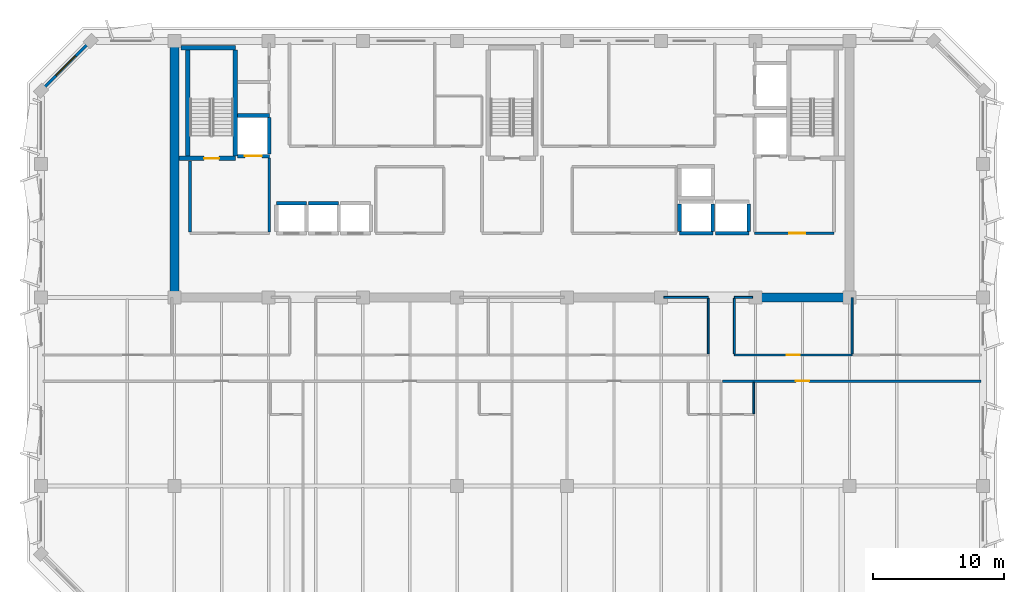
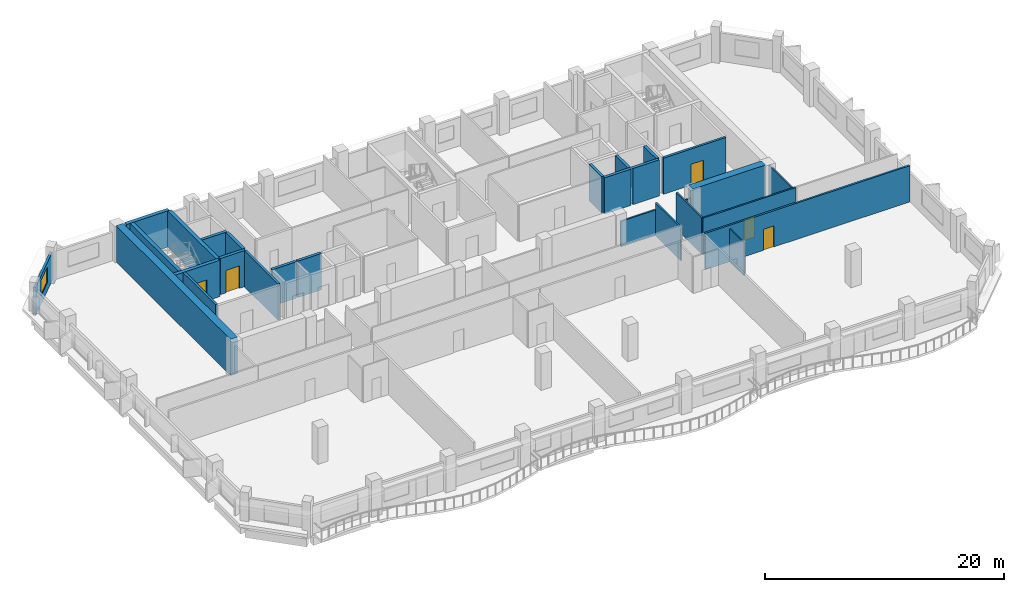
# One storey, part 5 of 11: 28 walls, 5 doors, 1 window, 6 openings.
"""IFC4 building model written with IfcOpenShell, lengths in metres."""

from ifc_helpers import new_model, si_unit, direction, frame, frame_2d, origin, place, context, subcontext, project, spatial, rectangle, extrude, material, layer, layer_set, type_object, element, fill, save


model = new_model("IFC4")

# Units and contexts
model_context = context("Model", 3, precision=1e-05, world=origin(), true_north=direction((0.0, 1.0)))
body_context = subcontext(model_context, "Body", "Model", "MODEL_VIEW")
ifc_project = project(units=[si_unit("LENGTHUNIT", "METRE"), si_unit("AREAUNIT", "SQUARE_METRE"), si_unit("VOLUMEUNIT", "CUBIC_METRE"), si_unit("PLANEANGLEUNIT", "RADIAN"), si_unit("MASSUNIT", "GRAM", prefix="KILO")], contexts=[model_context])

# Site, building, storey
site_placement = place(None, origin())
site = spatial("IfcSite", under=ifc_project, at=site_placement, CompositionType="ELEMENT")
building_placement = place(site_placement, origin())
building = spatial("IfcBuilding", under=site, at=building_placement, Name="Kaelvorn Grand Hotel", CompositionType="ELEMENT")
storey_placement = place(building_placement, frame((0.0, 0.0, 272.60009765625)))
storey = spatial("IfcBuildingStorey", under=building, at=storey_placement, Name="L67", CompositionType="ELEMENT", Elevation=272.60009765625)

# Walls
ifc_material_1 = material(Name="Concrete C50/60", Category="concrete")
ifc_layer_1 = layer(ifc_material_1, 0.699951171875)
ifc_layer_set_1 = layer_set([ifc_layer_1], Name="Concrete C50/60")
wall_type_1 = type_object("IfcWallType", Name="WL-CORE-700-C50", PredefinedType="SHEAR", material=ifc_layer_set_1)
wall_1_placement = place(storey_placement, frame((16.199951171875, 29.39990234375, 0.0), z_axis=(0.0, 0.0, 1.0), x_axis=(0.0, 1.0, 0.0)))
element("IfcWall", 1, at=wall_1_placement, inside=storey, type_object=wall_type_1, Name="L67 Rear-Core West Shear Wall", PredefinedType="SHEAR", context=body_context, shape_type="SweptSolid", body=[
    extrude(rectangle(XDim=19.2001953125, YDim=0.699951171875, at=frame_2d((9.60009765625, 0.0))), origin(), (0.0, 0.0, 1.0), 3.7099609375),
])
wall_2_placement = place(storey_placement, frame((60.39990234375, 29.39990234375, 0.0), z_axis=(0.0, 0.0, 1.0), x_axis=(1.0, 0.0, 0.0)))
element("IfcWall", 2, at=wall_2_placement, inside=storey, type_object=wall_type_1, Name="L67 Rear-Core Coupled Shear Pier S4", PredefinedType="SHEAR", context=body_context, shape_type="SweptSolid", body=[
    extrude(rectangle(XDim=7.045166015625, YDim=0.699951171875, at=frame_2d((3.5224609375, 0.0))), origin(), (0.0, 0.0, 1.0), 3.7099609375),
])

# Wall, opening, window
ifc_material_2 = material(Name="Concrete C40/50", Category="concrete")
ifc_layer_2 = layer(ifc_material_2, 0.219970703125)
ifc_layer_set_2 = layer_set([ifc_layer_2], Name="Concrete C40/50")
wall_type_2 = type_object("IfcWallType", Name="WL-EXT-220-C40", PredefinedType="SOLIDWALL", material=ifc_layer_set_2)
wall_3_placement = place(storey_placement, frame((9.800048828125, 49.0, 0.0), z_axis=(0.0, 0.0, 1.0), x_axis=(-0.707106781187, -0.707106781187, 0.0)))
wall_3 = element("IfcWall", 3, at=wall_3_placement, inside=storey, type_object=wall_type_2, Name="L67 Exterior Architectural Concrete Wall 06", PredefinedType="SOLIDWALL", context=body_context, shape_type="SweptSolid", body=[
    extrude(rectangle(XDim=5.3740234375, YDim=0.219970703125, at=frame_2d((2.68701171875, 0.0))), origin(), (0.0, 0.0, 1.0), 2.909912109375),
])
opening_1_placement = place(wall_3_placement, frame((1.636962890625, 0.0, 0.85009765625)))
opening_1 = element("IfcOpeningElement", 4, at=opening_1_placement, cuts=wall_3, Name="Opening W7", PredefinedType="OPENING", context=body_context, shape_type="SweptSolid", body=[
    extrude(rectangle(XDim=2.10009765625, YDim=1.60009765625, at=frame_2d((1.050048828125, 0.800048828125))), frame((0.0, 0.1201171875, 0.0), z_axis=(0.0, -1.0, 0.0), x_axis=(1.0, 0.0, 0.0)), (0.0, 0.0, 1.0), 0.239990234375),
])
ifc_material_3 = material(Name="Laminated Low-E Glass", Category="glass")
window_type = type_object("IfcWindowType", Name="WIN-CHM-2100x1600", PartitioningType="SINGLE_PANEL", PredefinedType="WINDOW", material=ifc_material_3)
window_placement = place(opening_1_placement, origin())
window = element("IfcWindow", 5, at=window_placement, inside=storey, type_object=window_type, Name="L67 Chamfered 45-Degree Corner Window NW", OverallHeight=1.60009765625, OverallWidth=2.10009765625, PartitioningType="SINGLE_PANEL", PredefinedType="WINDOW", context=body_context, shape_type="SweptSolid", body=[
    extrude(rectangle(XDim=2.10009765625, YDim=1.60009765625, at=frame_2d((1.050048828125, 0.800048828125))), frame((0.0, 0.030029296875, 0.0), z_axis=(0.0, -1.0, 0.0), x_axis=(1.0, 0.0, 0.0)), (0.0, 0.0, 1.0), 0.06005859375),
])
fill(opening_1, window)

# Walls
ifc_material_4 = material(Name="Moisture-Resistant Tile & Stud Board")
ifc_layer_3 = layer(ifc_material_4, 0.125)
ifc_layer_set_3 = layer_set([ifc_layer_3], Name="Moisture-Resistant Tile & Stud Board")
wall_type_3 = type_object("IfcWallType", Name="WL-PART-125-WET", PredefinedType="PARTITIONING", material=ifc_layer_set_3)
wall_4_placement = place(storey_placement, frame((60.47509765625, 20.517578125, 0.0), z_axis=(0.0, 0.0, 1.0), x_axis=(0.0, 1.0, 0.0)))
element("IfcWall", 6, at=wall_4_placement, inside=storey, type_object=wall_type_3, Name="L67 En-suite Bathroom L67-04 E Partition", PredefinedType="PARTITIONING", context=body_context, shape_type="SweptSolid", body=[
    extrude(rectangle(XDim=2.387451171875, YDim=0.125, at=frame_2d((1.19384765625, 0.0))), origin(), (0.0, 0.0, 1.0), 3.349853515625),
])
ifc_material_5 = material(Name="Acoustic Gypsum & Stud Partition")
ifc_layer_4 = layer(ifc_material_5, 0.14990234375)
ifc_layer_set_4 = layer_set([ifc_layer_4], Name="Acoustic Gypsum & Stud Partition")
wall_type_4 = type_object("IfcWallType", Name="WL-PART-150-EI60", PredefinedType="PARTITIONING", material=ifc_layer_set_4)
wall_5_placement = place(storey_placement, frame((53.610107421875, 29.39990234375, 0.0), z_axis=(0.0, 0.0, 1.0), x_axis=(1.0, 0.0, 0.0)))
element("IfcWall", 7, at=wall_5_placement, inside=storey, type_object=wall_type_4, Name="L67 Diplomatic Living Room N Partition (2)", PredefinedType="PARTITIONING", context=body_context, shape_type="SweptSolid", body=[
    extrude(rectangle(XDim=3.389892578125, YDim=0.14990234375, at=frame_2d((1.69482421875, 0.0))), origin(), (0.0, 0.0, 1.0), 2.60986328125),
])
wall_6_placement = place(storey_placement, frame((57.0, 25.080078125, 0.0), z_axis=(0.0, 0.0, 1.0), x_axis=(0.0, 1.0, 0.0)))
element("IfcWall", 8, at=wall_6_placement, inside=storey, type_object=wall_type_4, Name="L67 Diplomatic Living Room E Partition", PredefinedType="PARTITIONING", context=body_context, shape_type="SweptSolid", body=[
    extrude(rectangle(XDim=4.239990234375, YDim=0.14990234375, at=frame_2d((2.1201171875, 0.0))), origin(), (0.0, 0.0, 1.0), 3.349853515625),
])

# Wall, opening, door
wall_7_placement = place(storey_placement, frame((59.0, 25.0, 0.0), z_axis=(0.0, 0.0, 1.0), x_axis=(1.0, 0.0, 0.0)))
wall_7 = element("IfcWall", 9, at=wall_7_placement, inside=storey, type_object=wall_type_4, Name="L67 Executive Meeting Room S Partition", PredefinedType="PARTITIONING", context=body_context, shape_type="SweptSolid", body=[
    extrude(rectangle(XDim=9.0, YDim=0.14990234375, at=frame_2d((4.5, 0.0))), origin(), (0.0, 0.0, 1.0), 3.7099609375),
])
opening_2_placement = place(wall_7_placement, frame((4.0, 0.0, 0.0)))
opening_2 = element("IfcOpeningElement", 10, at=opening_2_placement, cuts=wall_7, Name="Opening DI3", PredefinedType="OPENING", context=body_context, shape_type="SweptSolid", body=[
    extrude(rectangle(XDim=1.0, YDim=2.14990234375, at=frame_2d((0.5, 1.074951171875))), frame((0.0, 0.0849609375, 0.0), z_axis=(0.0, -1.0, 0.0), x_axis=(1.0, 0.0, 0.0)), (0.0, 0.0, 1.0), 0.169921875),
])
ifc_material_6 = material(Name="Timber Veneer Fire Leaf", Category="wood")
door_type_1 = type_object("IfcDoorType", Name="DR-INT-GUEST-1000x2150", OperationType="NOTDEFINED", PredefinedType="DOOR", material=ifc_material_6)
door_1_placement = place(opening_2_placement, origin())
door_1 = element("IfcDoor", 11, at=door_1_placement, inside=storey, type_object=door_type_1, Name="L67 Executive Meeting Room Door", OperationType="SINGLE_SWING_LEFT", OverallHeight=2.14990234375, OverallWidth=1.0, PredefinedType="DOOR", context=body_context, shape_type="SweptSolid", body=[
    extrude(rectangle(XDim=1.0, YDim=2.14990234375, at=frame_2d((0.5, 1.074951171875))), frame((0.0, 0.02490234375, 0.0), z_axis=(0.0, -1.0, 0.0), x_axis=(1.0, 0.0, 0.0)), (0.0, 0.0, 1.0), 0.050048828125),
])
fill(opening_2, door_1)

# Walls
wall_8_placement = place(storey_placement, frame((59.0, 29.39990234375, 0.0), z_axis=(0.0, 0.0, 1.0), x_axis=(1.0, 0.0, 0.0)))
element("IfcWall", 12, at=wall_8_placement, inside=storey, type_object=wall_type_4, Name="L67 Executive Meeting Room N Partition", PredefinedType="PARTITIONING", context=body_context, shape_type="SweptSolid", body=[
    extrude(rectangle(XDim=1.389892578125, YDim=0.14990234375, at=frame_2d((0.69482421875, 0.0))), origin(), (0.0, 0.0, 1.0), 2.60986328125),
])
wall_9_placement = place(storey_placement, frame((59.0, 25.080078125, 0.0), z_axis=(0.0, 0.0, 1.0), x_axis=(0.0, 1.0, 0.0)))
element("IfcWall", 13, at=wall_9_placement, inside=storey, type_object=wall_type_4, Name="L67 Executive Meeting Room W Partition", PredefinedType="PARTITIONING", context=body_context, shape_type="SweptSolid", body=[
    extrude(rectangle(XDim=4.239990234375, YDim=0.14990234375, at=frame_2d((2.1201171875, 0.0))), origin(), (0.0, 0.0, 1.0), 3.7099609375),
])
wall_10_placement = place(storey_placement, frame((68.0, 25.080078125, 0.0), z_axis=(0.0, 0.0, 1.0), x_axis=(0.0, 1.0, 0.0)))
element("IfcWall", 14, at=wall_10_placement, inside=storey, type_object=wall_type_4, Name="L67 Executive Meeting Room E Partition", PredefinedType="PARTITIONING", context=body_context, shape_type="SweptSolid", body=[
    extrude(rectangle(XDim=4.309814453125, YDim=0.14990234375, at=frame_2d((2.15478515625, 0.0))), origin(), (0.0, 0.0, 1.0), 3.349853515625),
])

# Wall, opening, door
ifc_layer_5 = layer(ifc_material_5, 0.179931640625)
ifc_layer_set_5 = layer_set([ifc_layer_5], Name="Acoustic Gypsum & Stud Partition")
wall_type_5 = type_object("IfcWallType", Name="WL-PART-180-EI60", PredefinedType="PARTITIONING", material=ifc_layer_set_5)
wall_11_placement = place(storey_placement, frame((58.070068359375, 23.0, 0.0), z_axis=(0.0, 0.0, 1.0), x_axis=(1.0, 0.0, 0.0)))
wall_11 = element("IfcWall", 15, at=wall_11_placement, inside=storey, type_object=wall_type_5, Name="L67 Presidential Sky Suite L67-04 N Partition", PredefinedType="PARTITIONING", context=body_context, shape_type="SweptSolid", body=[
    extrude(rectangle(XDim=19.780029296875, YDim=0.179931640625, at=frame_2d((9.89013671875, 0.0))), origin(), (0.0, 0.0, 1.0), 3.7099609375),
])
opening_3_placement = place(wall_11_placement, frame((5.6298828125, 0.0, 0.0)))
opening_3 = element("IfcOpeningElement", 16, at=opening_3_placement, cuts=wall_11, Name="Opening DI3", PredefinedType="OPENING", context=body_context, shape_type="SweptSolid", body=[
    extrude(rectangle(XDim=1.0, YDim=2.14990234375, at=frame_2d((0.5, 1.074951171875))), frame((0.0, 0.10009765625, 0.0), z_axis=(0.0, -1.0, 0.0), x_axis=(1.0, 0.0, 0.0)), (0.0, 0.0, 1.0), 0.199951171875),
])
door_2_placement = place(opening_3_placement, origin())
door_2 = element("IfcDoor", 17, at=door_2_placement, inside=storey, type_object=door_type_1, Name="L67 Presidential Sky Suite L67-04 Door", OperationType="SINGLE_SWING_RIGHT", OverallHeight=2.14990234375, OverallWidth=1.0, PredefinedType="DOOR", context=body_context, shape_type="SweptSolid", body=[
    extrude(rectangle(XDim=1.0, YDim=2.14990234375, at=frame_2d((0.5, 1.074951171875))), frame((0.0, 0.02490234375, 0.0), z_axis=(0.0, -1.0, 0.0), x_axis=(1.0, 0.0, 0.0)), (0.0, 0.0, 1.0), 0.050048828125),
])
fill(opening_3, door_2)

# Walls
ifc_layer_6 = layer(ifc_material_2, 0.219970703125)
ifc_layer_set_6 = layer_set([ifc_layer_6], Name="Concrete C40/50")
wall_type_6 = type_object("IfcWallType", Name="WL-PART-220-EI120", PredefinedType="PARTITIONING", material=ifc_layer_set_6)
wall_12_placement = place(storey_placement, frame((17.39990234375, 34.4150390625, 0.0), z_axis=(0.0, 0.0, 1.0), x_axis=(0.0, 1.0, 0.0)))
element("IfcWall", 18, at=wall_12_placement, inside=storey, type_object=wall_type_6, Name="L67 Firefighting Lift Lobby 1 W Partition", PredefinedType="PARTITIONING", context=body_context, shape_type="SweptSolid", body=[
    extrude(rectangle(XDim=5.429931640625, YDim=0.219970703125, at=frame_2d((2.71484375, 0.0))), origin(), (0.0, 0.0, 1.0), 3.7099609375),
])
wall_13_placement = place(storey_placement, frame((23.449951171875, 34.4150390625, 0.0), z_axis=(0.0, 0.0, 1.0), x_axis=(0.0, 1.0, 0.0)))
element("IfcWall", 19, at=wall_13_placement, inside=storey, type_object=wall_type_6, Name="L67 Firefighting Lift Lobby 1 E Partition", PredefinedType="PARTITIONING", context=body_context, shape_type="SweptSolid", body=[
    extrude(rectangle(XDim=5.639892578125, YDim=0.219970703125, at=frame_2d((2.81982421875, 0.0))), origin(), (0.0, 0.0, 1.0), 3.7099609375),
])

# Wall, opening, door
wall_14_placement = place(storey_placement, frame((60.550048828125, 34.300048828125, 0.0), z_axis=(0.0, 0.0, 1.0), x_axis=(1.0, 0.0, 0.0)))
wall_14 = element("IfcWall", 20, at=wall_14_placement, inside=storey, type_object=wall_type_6, Name="L67 Firefighting Lift Lobby 2 S Partition", PredefinedType="PARTITIONING", context=body_context, shape_type="SweptSolid", body=[
    extrude(rectangle(XDim=6.050048828125, YDim=0.219970703125, at=frame_2d((3.02490234375, 0.0))), origin(), (0.0, 0.0, 1.0), 3.7099609375),
])
opening_4_placement = place(wall_14_placement, frame((2.64990234375, 0.0, 0.0)))
opening_4 = element("IfcOpeningElement", 21, at=opening_4_placement, cuts=wall_14, Name="Opening DI2", PredefinedType="OPENING", context=body_context, shape_type="SweptSolid", body=[
    extrude(rectangle(XDim=1.199951171875, YDim=2.14990234375, at=frame_2d((0.60009765625, 1.074951171875))), frame((0.0, 0.1201171875, 0.0), z_axis=(0.0, -1.0, 0.0), x_axis=(1.0, 0.0, 0.0)), (0.0, 0.0, 1.0), 0.239990234375),
])
door_type_2 = type_object("IfcDoorType", Name="DR-INT-FFLOB-1200x2150", OperationType="NOTDEFINED", PredefinedType="DOOR", material=ifc_material_6)
door_3_placement = place(opening_4_placement, origin())
door_3 = element("IfcDoor", 22, at=door_3_placement, inside=storey, type_object=door_type_2, Name="L67 Firefighting Lift Lobby 2 Door", OperationType="SINGLE_SWING_RIGHT", OverallHeight=2.14990234375, OverallWidth=1.199951171875, PredefinedType="DOOR", context=body_context, shape_type="SweptSolid", body=[
    extrude(rectangle(XDim=1.199951171875, YDim=2.14990234375, at=frame_2d((0.60009765625, 1.074951171875))), frame((0.0, 0.02490234375, 0.0), z_axis=(0.0, -1.0, 0.0), x_axis=(1.0, 0.0, 0.0)), (0.0, 0.0, 1.0), 0.050048828125),
])
fill(opening_4, door_3)

# Walls
ifc_layer_7 = layer(ifc_material_1, 0.280029296875)
ifc_layer_set_7 = layer_set([ifc_layer_7], Name="Concrete C50/60")
wall_type_7 = type_object("IfcWallType", Name="WL-SHAFT-280-C50", PredefinedType="SHEAR", material=ifc_layer_set_7)
for number, where, z_axis, x_axis, name in (
    (23, (24.0, 36.60009765625, 0.0), (0.0, 0.0, 1.0), (1.0, 0.0, 0.0), "L67 Lift PL-H1 Shaft North Wall"),
    (24, (26.449951171875, 36.60009765625, 0.0), (0.0, 0.0, 1.0), (1.0, 0.0, 0.0), "L67 Lift PL-H2 Shaft North Wall"),
):
    element("IfcWall", number, at=place(storey_placement, frame(where, z_axis=z_axis, x_axis=x_axis)), inside=storey, type_object=wall_type_7, Name=name, PredefinedType="SHEAR", context=body_context, shape_type="SweptSolid", body=[
        extrude(rectangle(XDim=2.300048828125, YDim=0.280029296875, at=frame_2d((1.14990234375, 0.0))), origin(), (0.0, 0.0, 1.0), 3.7099609375),
    ])
wall_15_placement = place(storey_placement, frame((54.800048828125, 34.300048828125, 0.0), z_axis=(0.0, 0.0, 1.0), x_axis=(1.0, 0.0, 0.0)))
element("IfcWall", 25, at=wall_15_placement, inside=storey, type_object=wall_type_7, Name="L67 Lift OL-1 Shaft South Wall", PredefinedType="SHEAR", context=body_context, shape_type="SweptSolid", body=[
    extrude(rectangle(XDim=2.550048828125, YDim=0.280029296875, at=frame_2d((1.27490234375, 0.0))), origin(), (0.0, 0.0, 1.0), 3.7099609375),
])
for number, where, z_axis, x_axis, name in (
    (26, (54.800048828125, 34.445068359375, 0.0), (0.0, 0.0, 1.0), (0.0, 1.0, 0.0), "L67 Lift OL-1 Shaft West Wall"),
    (27, (57.35009765625, 34.445068359375, 0.0), (0.0, 0.0, 1.0), (0.0, 1.0, 0.0), "L67 Lift OL-1 Shaft East Wall"),
):
    element("IfcWall", number, at=place(storey_placement, frame(where, z_axis=z_axis, x_axis=x_axis)), inside=storey, type_object=wall_type_7, Name=name, PredefinedType="SHEAR", context=body_context, shape_type="SweptSolid", body=[
        extrude(rectangle(XDim=2.10986328125, YDim=0.280029296875, at=frame_2d((1.054931640625, 0.0))), origin(), (0.0, 0.0, 1.0), 3.7099609375),
    ])
wall_16_placement = place(storey_placement, frame((57.550048828125, 34.300048828125, 0.0), z_axis=(0.0, 0.0, 1.0), x_axis=(1.0, 0.0, 0.0)))
element("IfcWall", 28, at=wall_16_placement, inside=storey, type_object=wall_type_7, Name="L67 Lift OL-2 Shaft South Wall", PredefinedType="SHEAR", context=body_context, shape_type="SweptSolid", body=[
    extrude(rectangle(XDim=2.550048828125, YDim=0.280029296875, at=frame_2d((1.27490234375, 0.0))), origin(), (0.0, 0.0, 1.0), 3.7099609375),
])
wall_17_placement = place(storey_placement, frame((60.10009765625, 34.445068359375, 0.0), z_axis=(0.0, 0.0, 1.0), x_axis=(0.0, 1.0, 0.0)))
element("IfcWall", 29, at=wall_17_placement, inside=storey, type_object=wall_type_7, Name="L67 Lift OL-2 Shaft East Wall", PredefinedType="SHEAR", context=body_context, shape_type="SweptSolid", body=[
    extrude(rectangle(XDim=2.10986328125, YDim=0.280029296875, at=frame_2d((1.054931640625, 0.0))), origin(), (0.0, 0.0, 1.0), 3.7099609375),
])

# Wall, opening, door
wall_18_placement = place(storey_placement, frame((21.034912109375, 40.199951171875, 0.0), z_axis=(0.0, 0.0, 1.0), x_axis=(1.0, 0.0, 0.0)))
wall_18 = element("IfcWall", 30, at=wall_18_placement, inside=storey, type_object=wall_type_7, Name="L67 Lift FFL1 Shaft South Wall", PredefinedType="SHEAR", context=body_context, shape_type="SweptSolid", body=[
    extrude(rectangle(XDim=2.4150390625, YDim=0.280029296875, at=frame_2d((1.20751953125, 0.0))), origin(), (0.0, 0.0, 1.0), 3.7099609375),
])
opening_5_placement = place(wall_18_placement, frame((0.5400390625, 0.0, 0.0)))
opening_5 = element("IfcOpeningElement", 31, at=opening_5_placement, cuts=wall_18, Name="Opening LD-FFL1", PredefinedType="OPENING", context=body_context, shape_type="SweptSolid", body=[
    extrude(rectangle(XDim=1.300048828125, YDim=2.300048828125, at=frame_2d((0.64990234375, 1.14990234375))), frame((0.0, 0.14990234375, 0.0), z_axis=(0.0, -1.0, 0.0), x_axis=(1.0, 0.0, 0.0)), (0.0, 0.0, 1.0), 0.300048828125),
])
ifc_material_7 = material(Name="Stainless Steel", Category="steel")
door_type_3 = type_object("IfcDoorType", Name="DR-LIFT-SERV-1300x2300", OperationType="DOUBLE_DOOR_SLIDING", PredefinedType="DOOR", material=ifc_material_7)
door_4_placement = place(opening_5_placement, origin())
door_4 = element("IfcDoor", 32, at=door_4_placement, inside=storey, type_object=door_type_3, Name="L67 Lift FFL1 Sliding Landing Door LD-FFL1", OperationType="DOUBLE_DOOR_SLIDING", OverallHeight=2.300048828125, OverallWidth=1.300048828125, PredefinedType="DOOR", context=body_context, shape_type="SweptSolid", body=[
    extrude(rectangle(XDim=1.300048828125, YDim=2.300048828125, at=frame_2d((0.64990234375, 1.14990234375))), frame((0.0, 0.02490234375, 0.0), z_axis=(0.0, -1.0, 0.0), x_axis=(1.0, 0.0, 0.0)), (0.0, 0.0, 1.0), 0.050048828125),
])
fill(opening_5, door_4)

# Walls
wall_19_placement = place(storey_placement, frame((21.034912109375, 43.300048828125, 0.0), z_axis=(0.0, 0.0, 1.0), x_axis=(1.0, 0.0, 0.0)))
element("IfcWall", 33, at=wall_19_placement, inside=storey, type_object=wall_type_7, Name="L67 Lift FFL1 Shaft North Wall", PredefinedType="SHEAR", context=body_context, shape_type="SweptSolid", body=[
    extrude(rectangle(XDim=2.4150390625, YDim=0.280029296875, at=frame_2d((1.20751953125, 0.0))), origin(), (0.0, 0.0, 1.0), 3.7099609375),
])
wall_20_placement = place(storey_placement, frame((23.449951171875, 40.344970703125, 0.0), z_axis=(0.0, 0.0, 1.0), x_axis=(0.0, 1.0, 0.0)))
element("IfcWall", 34, at=wall_20_placement, inside=storey, type_object=wall_type_7, Name="L67 Lift FFL1 Shaft East Wall", PredefinedType="SHEAR", context=body_context, shape_type="SweptSolid", body=[
    extrude(rectangle(XDim=2.81005859375, YDim=0.280029296875, at=frame_2d((1.405029296875, 0.0))), origin(), (0.0, 0.0, 1.0), 3.7099609375),
])

# Wall, opening, door
ifc_material_8 = material(Name="Concrete C60/75", Category="concrete")
ifc_layer_8 = layer(ifc_material_8, 0.35009765625)
ifc_layer_set_8 = layer_set([ifc_layer_8], Name="Concrete C60/75")
wall_type_8 = type_object("IfcWallType", Name="WL-SHAFT-350-C60", PredefinedType="SHEAR", material=ifc_layer_set_8)
wall_21_placement = place(storey_placement, frame((16.554931640625, 40.02490234375, 0.0), z_axis=(0.0, 0.0, 1.0), x_axis=(1.0, 0.0, 0.0)))
wall_21 = element("IfcWall", 35, at=wall_21_placement, inside=storey, type_object=wall_type_8, Name="L67 ST1 Stair Shaft South Wall", PredefinedType="SHEAR", context=body_context, shape_type="SweptSolid", body=[
    extrude(rectangle(XDim=4.300048828125, YDim=0.35009765625, at=frame_2d((2.14990234375, 0.0))), origin(), (0.0, 0.0, 1.0), 3.7099609375),
])
opening_6_placement = place(wall_21_placement, frame((1.909912109375, 0.0, 0.0)))
opening_6 = element("IfcOpeningElement", 36, at=opening_6_placement, cuts=wall_21, Name="Opening DI1", PredefinedType="OPENING", context=body_context, shape_type="SweptSolid", body=[
    extrude(rectangle(XDim=1.14990234375, YDim=2.14990234375, at=frame_2d((0.574951171875, 1.074951171875))), frame((0.0, 0.18505859375, 0.0), z_axis=(0.0, -1.0, 0.0), x_axis=(1.0, 0.0, 0.0)), (0.0, 0.0, 1.0), 0.3701171875),
])
door_type_4 = type_object("IfcDoorType", Name="DR-INT-STAIR-1150x2150", OperationType="NOTDEFINED", PredefinedType="DOOR", material=ifc_material_6)
door_5_placement = place(opening_6_placement, origin())
door_5 = element("IfcDoor", 37, at=door_5_placement, inside=storey, type_object=door_type_4, Name="L67 ST1 Exit Stair Fire Door", OperationType="SINGLE_SWING_RIGHT", OverallHeight=2.14990234375, OverallWidth=1.14990234375, PredefinedType="DOOR", context=body_context, shape_type="SweptSolid", body=[
    extrude(rectangle(XDim=1.14990234375, YDim=2.14990234375, at=frame_2d((0.574951171875, 1.074951171875))), frame((0.0, 0.02490234375, 0.0), z_axis=(0.0, -1.0, 0.0), x_axis=(1.0, 0.0, 0.0)), (0.0, 0.0, 1.0), 0.050048828125),
])
fill(opening_6, door_5)

# Walls
wall_22_placement = place(storey_placement, frame((16.705078125, 48.47509765625, 0.0), z_axis=(0.0, 0.0, 1.0), x_axis=(1.0, 0.0, 0.0)))
element("IfcWall", 38, at=wall_22_placement, inside=storey, type_object=wall_type_8, Name="L67 ST1 Stair Shaft North Wall", PredefinedType="SHEAR", context=body_context, shape_type="SweptSolid", body=[
    extrude(rectangle(XDim=4.14990234375, YDim=0.35009765625, at=frame_2d((2.074951171875, 0.0))), origin(), (0.0, 0.0, 1.0), 3.7099609375),
])
for number, where, z_axis, x_axis, name in (
    (39, (17.22509765625, 40.205078125, 0.0), (0.0, 0.0, 1.0), (0.0, 1.0, 0.0), "L67 ST1 Stair Shaft West Wall"),
    (40, (20.85498046875, 40.205078125, 0.0), (0.0, 0.0, 1.0), (0.0, 1.0, 0.0), "L67 ST1 Stair Shaft East Wall"),
):
    element("IfcWall", number, at=place(storey_placement, frame(where, z_axis=z_axis, x_axis=x_axis)), inside=storey, type_object=wall_type_8, Name=name, PredefinedType="SHEAR", context=body_context, shape_type="SweptSolid", body=[
        extrude(rectangle(XDim=8.08984375, YDim=0.35009765625, at=frame_2d((4.044921875, 0.0))), origin(), (0.0, 0.0, 1.0), 3.7099609375),
    ])

save(model, "model.ifc")
